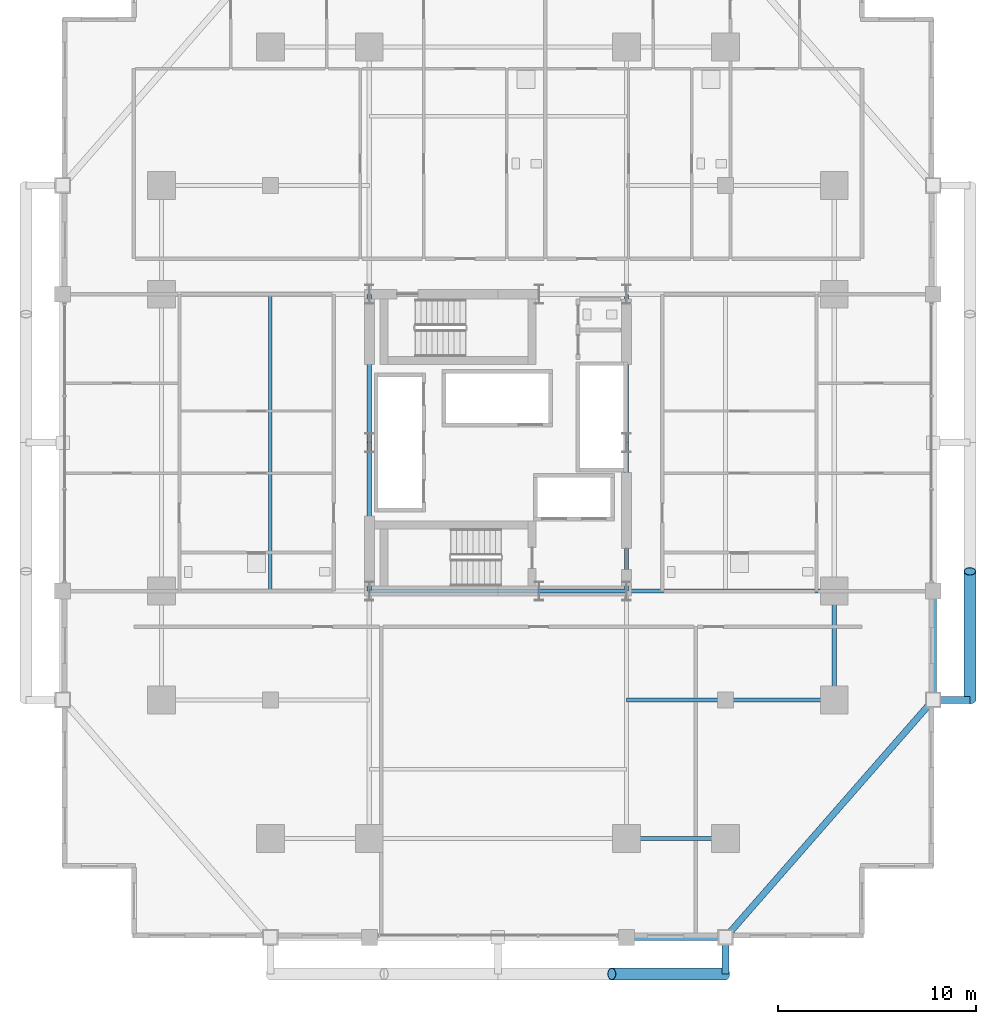
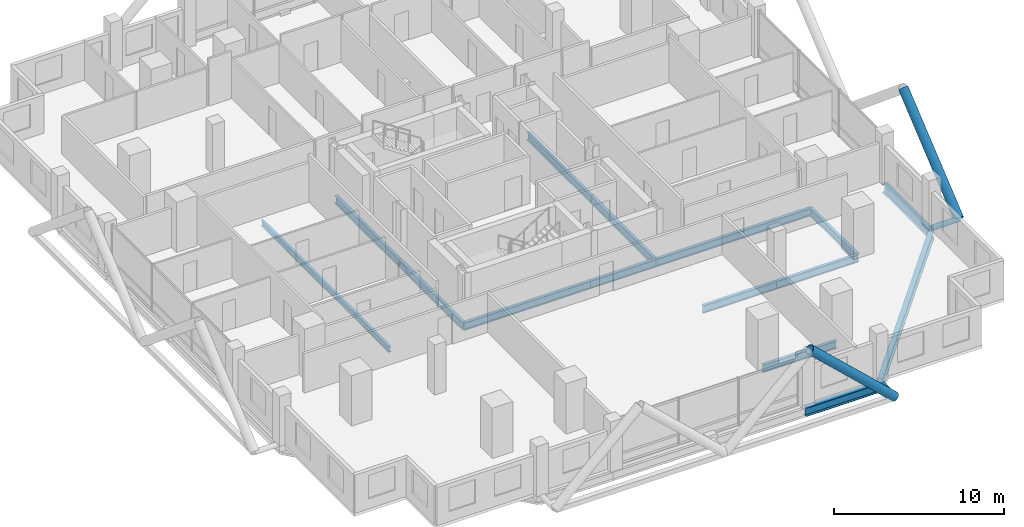
# One storey, part 9 of 27: 15 beams, 4 members.
"""IFC4 building model written with IfcOpenShell, lengths in metres."""

from ifc_helpers import new_model, si_unit, direction, frame, origin, origin_2d, place, context, subcontext, project, spatial, hollow_circle, i_section, extrude, material, material_profile, profile_set, type_object, element, save


model = new_model("IFC4")

# Units and contexts
model_context = context("Model", 3, precision=1e-05, world=origin(), true_north=direction((0.0, 1.0)))
body_context = subcontext(model_context, "Body", "Model", "MODEL_VIEW")
ifc_project = project(units=[si_unit("LENGTHUNIT", "METRE"), si_unit("AREAUNIT", "SQUARE_METRE"), si_unit("VOLUMEUNIT", "CUBIC_METRE"), si_unit("PLANEANGLEUNIT", "RADIAN"), si_unit("MASSUNIT", "GRAM", prefix="KILO")], contexts=[model_context])

# Site, building, storey
site_placement = place(None, origin())
site = spatial("IfcSite", under=ifc_project, at=site_placement, CompositionType="ELEMENT")
building_placement = place(site_placement, origin())
building = spatial("IfcBuilding", under=site, at=building_placement, Name="Barlavira Tower and Art Museum", CompositionType="ELEMENT")
storey_placement = place(building_placement, frame((0.0, 0.0, 61.199951171875)))
storey = spatial("IfcBuildingStorey", under=building, at=storey_placement, Name="L14", CompositionType="ELEMENT", Elevation=61.199951171875)

# Members
ifc_material = material(Name="Steel S355", Category="steel")
ifc_material_profile_1 = material_profile(ifc_material, hollow_circle(Radius=0.304931640625, WallThickness=0.028076171875, at=origin_2d()), Name="CHS 610.0x28.0")
ifc_profile_set_1 = profile_set([ifc_material_profile_1], Name="Steel S355")
member_type_1 = type_object("IfcMemberType", Name="Pale-Metal Exoskeleton Diagrid Tube CHS 610x28 Steel S355", PredefinedType="BRACE", material=ifc_profile_set_1)
member_1_placement = place(storey_placement, frame((11.5, -26.85009765625, -0.119873046875), z_axis=(-0.728950095515, 0.0, 0.684566839869), x_axis=(0.0, -1.0, 0.0)))
element("IfcMember", 1, at=member_1_placement, inside=storey, type_object=member_type_1, Name="L14 Exoskeleton Diagrid Tube S", PredefinedType="BRACE", context=body_context, shape_type="SweptSolid", body=[
    extrude(hollow_circle(Radius=0.304931640625, WallThickness=0.028076171875, at=origin_2d()), origin(), (0.0, 0.0, 1.0), 7.887939453125),
])
member_2_placement = place(storey_placement, frame((23.85009765625, -13.0, -0.119873046875), z_axis=(0.0, 0.769196053329, 0.639012857104), x_axis=(-1.0, 0.0, 0.0)))
element("IfcMember", 2, at=member_2_placement, inside=storey, type_object=member_type_1, Name="L14 Exoskeleton Diagrid Tube E", PredefinedType="BRACE", context=body_context, shape_type="SweptSolid", body=[
    extrude(hollow_circle(Radius=0.304931640625, WallThickness=0.028076171875, at=origin_2d()), origin(), (0.0, 0.0, 1.0), 8.450439453125),
])
ifc_material_profile_2 = material_profile(ifc_material, hollow_circle(Radius=0.177734375, WallThickness=0.01611328125, at=origin_2d()), Name="CHS 355.6x16.0")
ifc_profile_set_2 = profile_set([ifc_material_profile_2], Name="Steel S355")
member_type_2 = type_object("IfcMemberType", Name="Pale-Metal Exoskeleton Tie Strut CHS 356x16 Steel S355", PredefinedType="STRUT", material=ifc_profile_set_2)
for number, where, z_axis, x_axis, name in (
    (3, (11.5, -26.85009765625, -0.119873046875), (0.0, 1.0, 0.0), (-1.0, 0.0, 0.0), "L14 Exoskeleton Tie Strut S3"),
    (4, (23.85009765625, -13.0, -0.119873046875), (-1.0, 0.0, 0.0), (0.0, -1.0, 0.0), "L14 Exoskeleton Tie Strut E1"),
):
    element("IfcMember", number, at=place(storey_placement, frame(where, z_axis=z_axis, x_axis=x_axis)), inside=storey, type_object=member_type_2, Name=name, PredefinedType="STRUT", context=body_context, shape_type="SweptSolid", body=[
        extrude(hollow_circle(Radius=0.177734375, WallThickness=0.01611328125, at=origin_2d()), origin(), (0.0, 0.0, 1.0), 1.85009765625),
    ])

# Beams
ifc_material_profile_3 = material_profile(ifc_material, i_section(OverallWidth=0.327880859375, OverallDepth=0.62890625, WebThickness=0.013916015625, FlangeThickness=0.021484375, at=origin_2d()), Name="W610x174.0")
ifc_profile_set_3 = profile_set([ifc_material_profile_3], Name="Steel S355")
beam_type_1 = type_object("IfcBeamType", Name="Perimeter Spandrel Edge Beam W610x174 Steel S355", PredefinedType="SPANDREL", material=ifc_profile_set_3)
beam_1_placement = place(storey_placement, frame((6.5, -25.0, -0.534423828125), z_axis=(1.0, 0.0, 0.0), x_axis=(0.0, 1.0, 0.0)))
element("IfcBeam", 5, at=beam_1_placement, inside=storey, type_object=beam_type_1, Name="L14 Spandrel 3", PredefinedType="SPANDREL", context=body_context, shape_type="SweptSolid", body=[
    extrude(i_section(OverallWidth=0.327880859375, OverallDepth=0.62890625, WebThickness=0.013916015625, FlangeThickness=0.021484375, at=origin_2d()), origin(), (0.0, 0.0, 1.0), 5.0),
])
beam_2_placement = place(storey_placement, frame((11.5, -25.0, -0.534423828125), z_axis=(0.658504607869, 0.752576694707, 0.0), x_axis=(-0.752576694707, 0.658504607869, 0.0)))
element("IfcBeam", 6, at=beam_2_placement, inside=storey, type_object=beam_type_1, Name="L14 Spandrel 4", PredefinedType="SPANDREL", context=body_context, shape_type="SweptSolid", body=[
    extrude(i_section(OverallWidth=0.327880859375, OverallDepth=0.62890625, WebThickness=0.013916015625, FlangeThickness=0.021484375, at=origin_2d()), origin(), (0.0, 0.0, 1.0), 15.9453125),
])
beam_3_placement = place(storey_placement, frame((22.0, -13.0, -0.534423828125), z_axis=(0.0, 1.0, 0.0), x_axis=(-1.0, 0.0, 0.0)))
element("IfcBeam", 7, at=beam_3_placement, inside=storey, type_object=beam_type_1, Name="L14 Spandrel 5", PredefinedType="SPANDREL", context=body_context, shape_type="SweptSolid", body=[
    extrude(i_section(OverallWidth=0.327880859375, OverallDepth=0.62890625, WebThickness=0.013916015625, FlangeThickness=0.021484375, at=origin_2d()), origin(), (0.0, 0.0, 1.0), 5.5),
])
ifc_material_profile_4 = material_profile(ifc_material, i_section(OverallWidth=0.180908203125, OverallDepth=0.4169921875, WebThickness=0.010986328125, FlangeThickness=0.018310546875, at=origin_2d()), Name="W410x85.0")
ifc_profile_set_4 = profile_set([ifc_material_profile_4], Name="Steel S355")
beam_type_2 = type_object("IfcBeamType", Name="Zone 1 Composite Floor Joist W410x85 Steel S355", PredefinedType="JOIST", material=ifc_profile_set_4)
beam_4_placement = place(storey_placement, frame((-11.5, -7.5, -0.428466796875), z_axis=(0.0, 1.0, 0.0), x_axis=(-1.0, 0.0, 0.0)))
element("IfcBeam", 8, at=beam_4_placement, inside=storey, type_object=beam_type_2, Name="L14 Joist W1", PredefinedType="JOIST", context=body_context, shape_type="SweptSolid", body=[
    extrude(i_section(OverallWidth=0.180908203125, OverallDepth=0.4169921875, WebThickness=0.010986328125, FlangeThickness=0.018310546875, at=origin_2d()), origin(), (0.0, 0.0, 1.0), 15.0),
])
ifc_material_profile_5 = material_profile(ifc_material, i_section(OverallWidth=0.214111328125, OverallDepth=0.549072265625, WebThickness=0.0146484375, FlangeThickness=0.023681640625, at=origin_2d()), Name="W530x138.0")
ifc_profile_set_5 = profile_set([ifc_material_profile_5], Name="Steel S355")
beam_type_3 = type_object("IfcBeamType", Name="Zone 1 Primary Floor Girder W530x138 Steel S355", PredefinedType="BEAM", material=ifc_profile_set_5)
beam_5_placement = place(storey_placement, frame((-6.5, -7.5, -0.494384765625), z_axis=(1.0, 0.0, 0.0), x_axis=(0.0, 1.0, 0.0)))
element("IfcBeam", 9, at=beam_5_placement, inside=storey, type_object=beam_type_3, Name="L14 Girder C-S1", PredefinedType="BEAM", context=body_context, shape_type="SweptSolid", body=[
    extrude(i_section(OverallWidth=0.214111328125, OverallDepth=0.549072265625, WebThickness=0.0146484375, FlangeThickness=0.023681640625, at=origin_2d()), origin(), (0.0, 0.0, 1.0), 8.580078125),
])
beam_6_placement = place(storey_placement, frame((2.080078125, -7.5, -0.494384765625), z_axis=(1.0, 0.0, 0.0), x_axis=(0.0, 1.0, 0.0)))
element("IfcBeam", 10, at=beam_6_placement, inside=storey, type_object=beam_type_3, Name="L14 Girder C-S2", PredefinedType="BEAM", context=body_context, shape_type="SweptSolid", body=[
    extrude(i_section(OverallWidth=0.214111328125, OverallDepth=0.549072265625, WebThickness=0.0146484375, FlangeThickness=0.023681640625, at=origin_2d()), origin(), (0.0, 0.0, 1.0), 4.419921875),
])
for number, where, z_axis, x_axis, name in (
    (11, (-6.5, -7.5, -0.494384765625), (0.0, 1.0, 0.0), (-1.0, 0.0, 0.0), "L14 Girder C-W1"),
    (12, (-6.5, 0.0, -0.494384765625), (0.0, 1.0, 0.0), (-1.0, 0.0, 0.0), "L14 Girder C-W2"),
    (13, (6.5, -7.5, -0.494384765625), (0.0, 1.0, 0.0), (-1.0, 0.0, 0.0), "L14 Girder C-E1"),
    (14, (6.5, 0.0, -0.494384765625), (0.0, 1.0, 0.0), (-1.0, 0.0, 0.0), "L14 Girder C-E2"),
):
    element("IfcBeam", number, at=place(storey_placement, frame(where, z_axis=z_axis, x_axis=x_axis)), inside=storey, type_object=beam_type_3, Name=name, PredefinedType="BEAM", context=body_context, shape_type="SweptSolid", body=[
        extrude(i_section(OverallWidth=0.214111328125, OverallDepth=0.549072265625, WebThickness=0.0146484375, FlangeThickness=0.023681640625, at=origin_2d()), origin(), (0.0, 0.0, 1.0), 7.5),
    ])
beam_7_placement = place(storey_placement, frame((6.5, -20.0, -0.494384765625), z_axis=(1.0, 0.0, 0.0), x_axis=(0.0, 1.0, 0.0)))
element("IfcBeam", 15, at=beam_7_placement, inside=storey, type_object=beam_type_3, Name="L14 Girder M-S3", PredefinedType="BEAM", context=body_context, shape_type="SweptSolid", body=[
    extrude(i_section(OverallWidth=0.214111328125, OverallDepth=0.549072265625, WebThickness=0.0146484375, FlangeThickness=0.023681640625, at=origin_2d()), origin(), (0.0, 0.0, 1.0), 5.0),
])
beam_8_placement = place(storey_placement, frame((17.0, -13.0, -0.494384765625), z_axis=(0.0, 1.0, 0.0), x_axis=(-1.0, 0.0, 0.0)))
element("IfcBeam", 16, at=beam_8_placement, inside=storey, type_object=beam_type_3, Name="L14 Girder M-E1", PredefinedType="BEAM", context=body_context, shape_type="SweptSolid", body=[
    extrude(i_section(OverallWidth=0.214111328125, OverallDepth=0.549072265625, WebThickness=0.0146484375, FlangeThickness=0.023681640625, at=origin_2d()), origin(), (0.0, 0.0, 1.0), 5.5),
])
beam_9_placement = place(storey_placement, frame((6.5, -7.5, -0.494384765625), z_axis=(1.0, 0.0, 0.0), x_axis=(0.0, 1.0, 0.0)))
element("IfcBeam", 17, at=beam_9_placement, inside=storey, type_object=beam_type_3, Name="L14 Girder R-E1", PredefinedType="BEAM", context=body_context, shape_type="SweptSolid", body=[
    extrude(i_section(OverallWidth=0.214111328125, OverallDepth=0.549072265625, WebThickness=0.0146484375, FlangeThickness=0.023681640625, at=origin_2d()), origin(), (0.0, 0.0, 1.0), 10.5),
])
beam_10_placement = place(storey_placement, frame((6.5, -13.0, -0.494384765625), z_axis=(1.0, 0.0, 0.0), x_axis=(0.0, 1.0, 0.0)))
element("IfcBeam", 18, at=beam_10_placement, inside=storey, type_object=beam_type_3, Name="L14 Girder I-S3", PredefinedType="BEAM", context=body_context, shape_type="SweptSolid", body=[
    extrude(i_section(OverallWidth=0.214111328125, OverallDepth=0.549072265625, WebThickness=0.0146484375, FlangeThickness=0.023681640625, at=origin_2d()), origin(), (0.0, 0.0, 1.0), 5.0),
])
beam_11_placement = place(storey_placement, frame((11.5, -13.0, -0.494384765625), z_axis=(1.0, 0.0, 0.0), x_axis=(0.0, 1.0, 0.0)))
element("IfcBeam", 19, at=beam_11_placement, inside=storey, type_object=beam_type_3, Name="L14 Girder I-S4", PredefinedType="BEAM", context=body_context, shape_type="SweptSolid", body=[
    extrude(i_section(OverallWidth=0.214111328125, OverallDepth=0.549072265625, WebThickness=0.0146484375, FlangeThickness=0.023681640625, at=origin_2d()), origin(), (0.0, 0.0, 1.0), 5.5),
])

save(model, "model.ifc")
